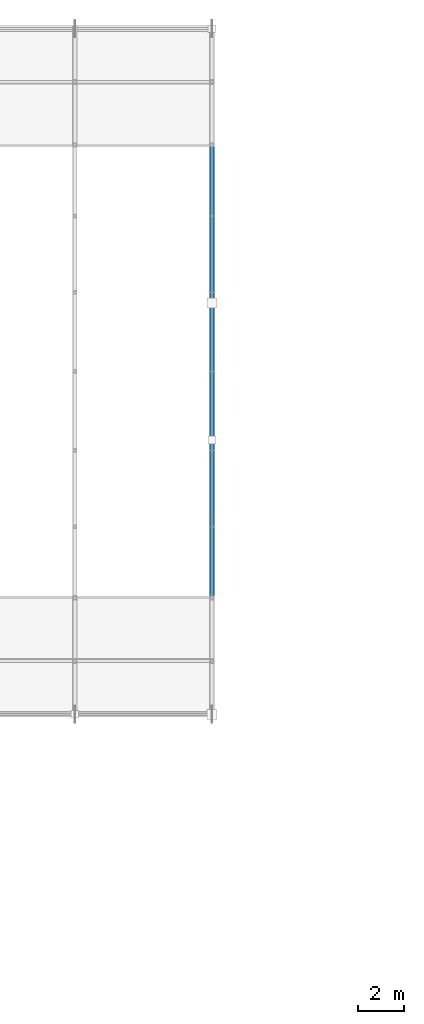
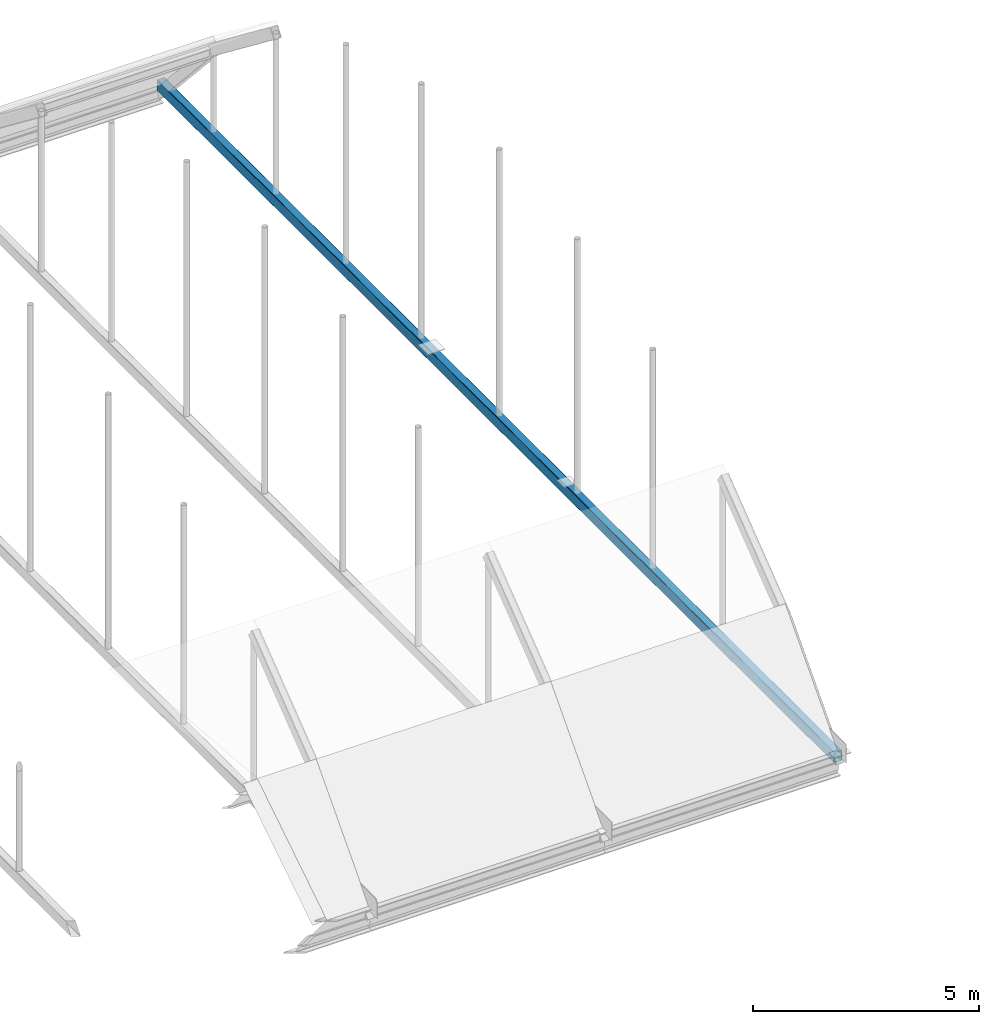
# One storey, part 36 of 63: 1 member.
"""IFC4 building model written with IfcOpenShell, lengths in metres."""

from ifc_helpers import new_model, si_unit, direction, frame, origin, origin_2d, place, context, subcontext, project, spatial, hollow_rectangle, extrude, material, material_profile, profile_set, type_object, element, save


model = new_model("IFC4")

# Units and contexts
model_context = context("Model", 3, precision=1e-05, world=origin(), true_north=direction((0.0, 1.0)))
body_context = subcontext(model_context, "Body", "Model", "MODEL_VIEW")
ifc_project = project(units=[si_unit("LENGTHUNIT", "METRE"), si_unit("AREAUNIT", "SQUARE_METRE"), si_unit("VOLUMEUNIT", "CUBIC_METRE"), si_unit("PLANEANGLEUNIT", "RADIAN"), si_unit("MASSUNIT", "GRAM", prefix="KILO")], contexts=[model_context])

# Site, building, storey
site_placement = place(None, origin())
site = spatial("IfcSite", under=ifc_project, at=site_placement, CompositionType="ELEMENT")
building_placement = place(site_placement, origin())
building = spatial("IfcBuilding", under=site, at=building_placement, Name="Varnakota Square Police Headquarters", CompositionType="ELEMENT")
storey_placement = place(building_placement, frame((0.0, 0.0, 22.199951171875)))
storey = spatial("IfcBuildingStorey", under=building, at=storey_placement, Name="L05", CompositionType="ELEMENT", Elevation=22.199951171875)

# Member
ifc_material = material(Name="Steel IS 2062 Grade 350", Category="steel")
ifc_material_profile = material_profile(ifc_material, hollow_rectangle(XDim=0.199951171875, YDim=0.300048828125, WallThickness=0.011962890625, InnerFilletRadius=0.011962890625, OuterFilletRadius=0.02392578125, at=origin_2d()), Name="RHS 300x200x12")
ifc_profile_set = profile_set([ifc_material_profile], Name="Steel IS 2062 Grade 350")
member_type = type_object("IfcMemberType", Name="MEM-TIE-RHS300", PredefinedType="CHORD", material=ifc_profile_set)
member_placement = place(storey_placement, frame((96.0, 69.0, -0.14990234375), z_axis=(0.0, 1.0, 0.0), x_axis=(-1.0, 0.0, 0.0)))
element("IfcMember", 1, at=member_placement, inside=storey, type_object=member_type, Name="Barrel vault tie rod V2-R07", PredefinedType="CHORD", context=body_context, shape_type="SweptSolid", body=[
    extrude(hollow_rectangle(XDim=0.199951171875, YDim=0.300048828125, WallThickness=0.011962890625, InnerFilletRadius=0.011962890625, OuterFilletRadius=0.02392578125, at=origin_2d()), origin(), (0.0, 0.0, 1.0), 30.0),
])

save(model, "model.ifc")
